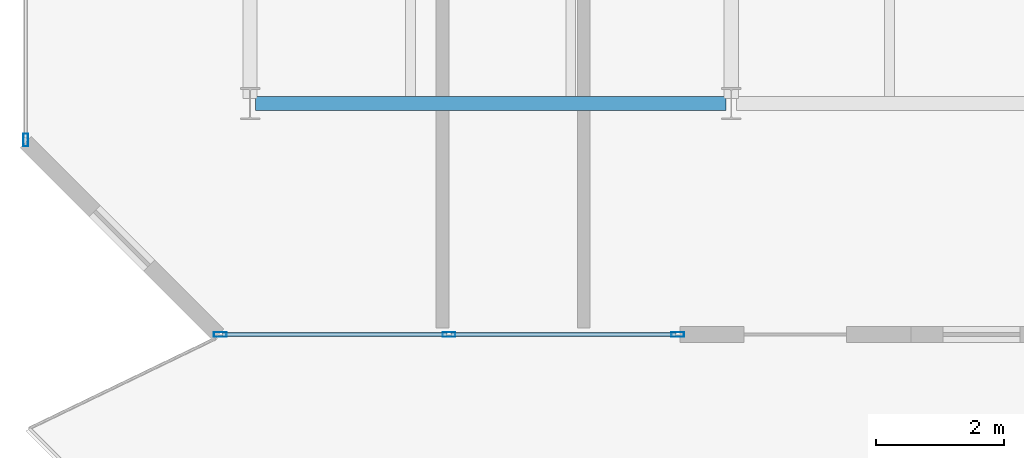
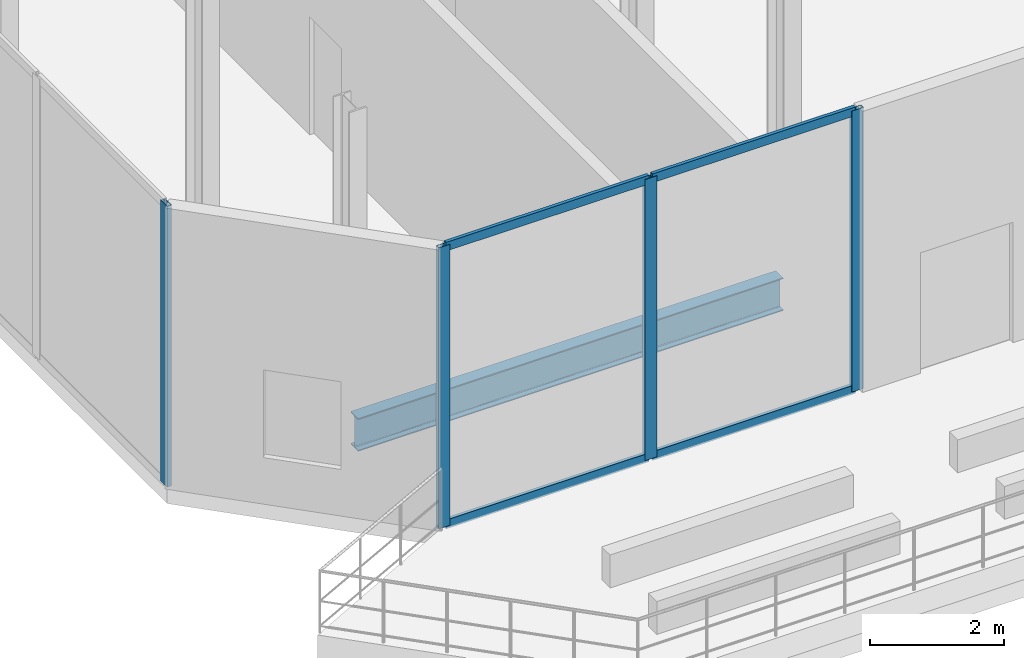
# One storey, part 2 of 17: 8 members, 1 beam, 2 elements without a shape of their own.
"""IFC4 building model written with IfcOpenShell, lengths in metres."""

from ifc_helpers import new_model, si_unit, direction, frame, origin, origin_2d, place, context, subcontext, project, spatial, hollow_rectangle, i_section, extrude, material, layer, layer_set, material_profile, profile_set, type_object, element, aggregate, save


model = new_model("IFC4")

# Units and contexts
model_context = context("Model", 3, precision=1e-05, world=origin(), true_north=direction((0.0, 1.0)))
body_context = subcontext(model_context, "Body", "Model", "MODEL_VIEW")
ifc_project = project(units=[si_unit("LENGTHUNIT", "METRE"), si_unit("AREAUNIT", "SQUARE_METRE"), si_unit("VOLUMEUNIT", "CUBIC_METRE"), si_unit("PLANEANGLEUNIT", "RADIAN"), si_unit("MASSUNIT", "GRAM", prefix="KILO")], contexts=[model_context])

# Site, building, storey
site_placement = place(None, origin())
site = spatial("IfcSite", under=ifc_project, at=site_placement, CompositionType="ELEMENT")
building_placement = place(site_placement, origin())
building = spatial("IfcBuilding", under=site, at=building_placement, Name="Catumbela Crestline Tower", CompositionType="ELEMENT")
storey_placement = place(building_placement, frame((0.0, 0.0, 213.0)))
storey = spatial("IfcBuildingStorey", under=building, at=storey_placement, Name="L55", CompositionType="ELEMENT", Elevation=213.0)

# Beam
ifc_material_1 = material(Name="Structural steel S355J2", Category="steel")
ifc_material_profile_1 = material_profile(ifc_material_1, i_section(OverallWidth=0.22, OverallDepth=0.6, WebThickness=0.012, FlangeThickness=0.019, FilletRadius=0.024, at=origin_2d()), Name="IPE 600")
ifc_profile_set_1 = profile_set([ifc_material_profile_1], Name="Structural steel S355J2")
beam_type = type_object("IfcBeamType", Name="BG-IPE600", PredefinedType="BEAM", material=ifc_profile_set_1)
beam_placement = place(storey_placement, frame((8.58, 13.6, -0.65), z_axis=(1.0, 0.0, 0.0), x_axis=(0.0, 1.0, 0.0)))
element("IfcBeam", 1, at=beam_placement, inside=storey, type_object=beam_type, Name="L55 Beam BM-L55-WEW27", PredefinedType="BEAM", context=body_context, shape_type="SweptSolid", body=[
    extrude(i_section(OverallWidth=0.22, OverallDepth=0.6, WebThickness=0.012, FlangeThickness=0.019, FilletRadius=0.024, at=origin_2d()), origin(), (0.0, 0.0, 1.0), 7.34),
])

# Curtain wall, members
ifc_material_2 = material(Name="Aluminium alloy AW-6060-T66", Category="aluminium")
ifc_layer = layer(ifc_material_2, 0.18, Name="Aluminium alloy AW-6060-T66")
ifc_layer_set = layer_set([ifc_layer], Name="Aluminium alloy AW-6060-T66")
curtain_wall_type = type_object("IfcCurtainWallType", Name="CWU-SKY", PredefinedType="USERDEFINED", material=ifc_layer_set)
curtain_wall_1_placement = place(storey_placement, origin())
curtain_wall_1 = element("IfcCurtainWall", 2, at=curtain_wall_1_placement, inside=storey, type_object=curtain_wall_type, Name="L55 Unitised Curtain Wall CW-L55-E0S1", ObjectType="UNITISED", PredefinedType="USERDEFINED")
ifc_material_profile_2 = material_profile(ifc_material_2, hollow_rectangle(XDim=0.075, YDim=0.2, WallThickness=0.005, at=origin_2d()), Name="ALU 200x75x5")
ifc_profile_set_2 = profile_set([ifc_material_profile_2], Name="Aluminium alloy AW-6060-T66")
member_type_1 = type_object("IfcMemberType", Name="MUL-200X75", PredefinedType="MULLION", material=ifc_profile_set_2)
member_1_placement = place(storey_placement, frame((8.0325, 10.0, 0.0), z_axis=(0.0, 0.0, 1.0), x_axis=(0.0, 1.0, 0.0)))
member_1 = element("IfcMember", 3, at=member_1_placement, type_object=member_type_1, Name="CWU-SKY mullion 1", PredefinedType="MULLION", context=body_context, shape_type="SweptSolid", body=[
    extrude(hollow_rectangle(XDim=0.075, YDim=0.2, WallThickness=0.005, at=origin_2d()), origin(), (0.0, 0.0, 1.0), 5.13),
])
member_2_placement = place(storey_placement, frame((11.6, 10.0, 0.0), z_axis=(0.0, 0.0, 1.0), x_axis=(0.0, 1.0, 0.0)))
member_2 = element("IfcMember", 4, at=member_2_placement, type_object=member_type_1, Name="CWU-SKY mullion 2", PredefinedType="MULLION", context=body_context, shape_type="SweptSolid", body=[
    extrude(hollow_rectangle(XDim=0.075, YDim=0.2, WallThickness=0.005, at=origin_2d()), origin(), (0.0, 0.0, 1.0), 5.13),
])
member_3_placement = place(storey_placement, frame((15.1675, 10.0, 0.0), z_axis=(0.0, 0.0, 1.0), x_axis=(0.0, 1.0, 0.0)))
member_3 = element("IfcMember", 5, at=member_3_placement, type_object=member_type_1, Name="CWU-SKY mullion 3", PredefinedType="MULLION", context=body_context, shape_type="SweptSolid", body=[
    extrude(hollow_rectangle(XDim=0.075, YDim=0.2, WallThickness=0.005, at=origin_2d()), origin(), (0.0, 0.0, 1.0), 5.13),
])

# Curtain wall, member
curtain_wall_2_placement = place(storey_placement, origin())
curtain_wall_2 = element("IfcCurtainWall", 6, at=curtain_wall_2_placement, inside=storey, type_object=curtain_wall_type, Name="L55 Unitised Curtain Wall CW-L55-E9S1", ObjectType="UNITISED", PredefinedType="USERDEFINED")
member_4_placement = place(storey_placement, frame((5.0, 13.0325, 0.0), z_axis=(0.0, 0.0, 1.0), x_axis=(1.0, 0.0, 0.0)))
member_4 = element("IfcMember", 7, at=member_4_placement, type_object=member_type_1, Name="CWU-SKY mullion 8", PredefinedType="MULLION", context=body_context, shape_type="SweptSolid", body=[
    extrude(hollow_rectangle(XDim=0.075, YDim=0.2, WallThickness=0.005, at=origin_2d()), origin(), (0.0, 0.0, 1.0), 5.13),
])
aggregate(curtain_wall_2, [member_4])

# Member
ifc_material_profile_3 = material_profile(ifc_material_2, hollow_rectangle(XDim=0.06, YDim=0.16, WallThickness=0.004, at=origin_2d()), Name="ALU 160x60x4")
ifc_profile_set_3 = profile_set([ifc_material_profile_3], Name="Aluminium alloy AW-6060-T66")
member_type_2 = type_object("IfcMemberType", Name="TRN-160X60", PredefinedType="USERDEFINED", material=ifc_profile_set_3)
member_5_placement = place(storey_placement, frame((8.065, 10.0, 0.03), z_axis=(1.0, 0.0, 0.0), x_axis=(0.0, 1.0, 0.0)))
member_5 = element("IfcMember", 8, at=member_5_placement, type_object=member_type_2, Name="CWU-SKY transom 1.1", ObjectType="TRANSOM", PredefinedType="USERDEFINED", context=body_context, shape_type="SweptSolid", body=[
    extrude(hollow_rectangle(XDim=0.06, YDim=0.16, WallThickness=0.004, at=origin_2d()), origin(), (0.0, 0.0, 1.0), 3.5025),
])

member_6_placement = place(storey_placement, frame((8.065, 10.0, 5.1), z_axis=(1.0, 0.0, 0.0), x_axis=(0.0, 1.0, 0.0)))
member_6 = element("IfcMember", 9, at=member_6_placement, type_object=member_type_2, Name="CWU-SKY transom 1.2", ObjectType="TRANSOM", PredefinedType="USERDEFINED", context=body_context, shape_type="SweptSolid", body=[
    extrude(hollow_rectangle(XDim=0.06, YDim=0.16, WallThickness=0.004, at=origin_2d()), origin(), (0.0, 0.0, 1.0), 3.5025),
])

member_7_placement = place(storey_placement, frame((11.6325, 10.0, 0.03), z_axis=(1.0, 0.0, 0.0), x_axis=(0.0, 1.0, 0.0)))
member_7 = element("IfcMember", 10, at=member_7_placement, type_object=member_type_2, Name="CWU-SKY transom 2.1", ObjectType="TRANSOM", PredefinedType="USERDEFINED", context=body_context, shape_type="SweptSolid", body=[
    extrude(hollow_rectangle(XDim=0.06, YDim=0.16, WallThickness=0.004, at=origin_2d()), origin(), (0.0, 0.0, 1.0), 3.5025),
])

member_8_placement = place(storey_placement, frame((11.6325, 10.0, 5.1), z_axis=(1.0, 0.0, 0.0), x_axis=(0.0, 1.0, 0.0)))
member_8 = element("IfcMember", 11, at=member_8_placement, type_object=member_type_2, Name="CWU-SKY transom 2.2", ObjectType="TRANSOM", PredefinedType="USERDEFINED", context=body_context, shape_type="SweptSolid", body=[
    extrude(hollow_rectangle(XDim=0.06, YDim=0.16, WallThickness=0.004, at=origin_2d()), origin(), (0.0, 0.0, 1.0), 3.5025),
])

aggregate(curtain_wall_1, [member_1, member_2, member_3, member_5, member_6, member_7, member_8])

save(model, "model.ifc")
